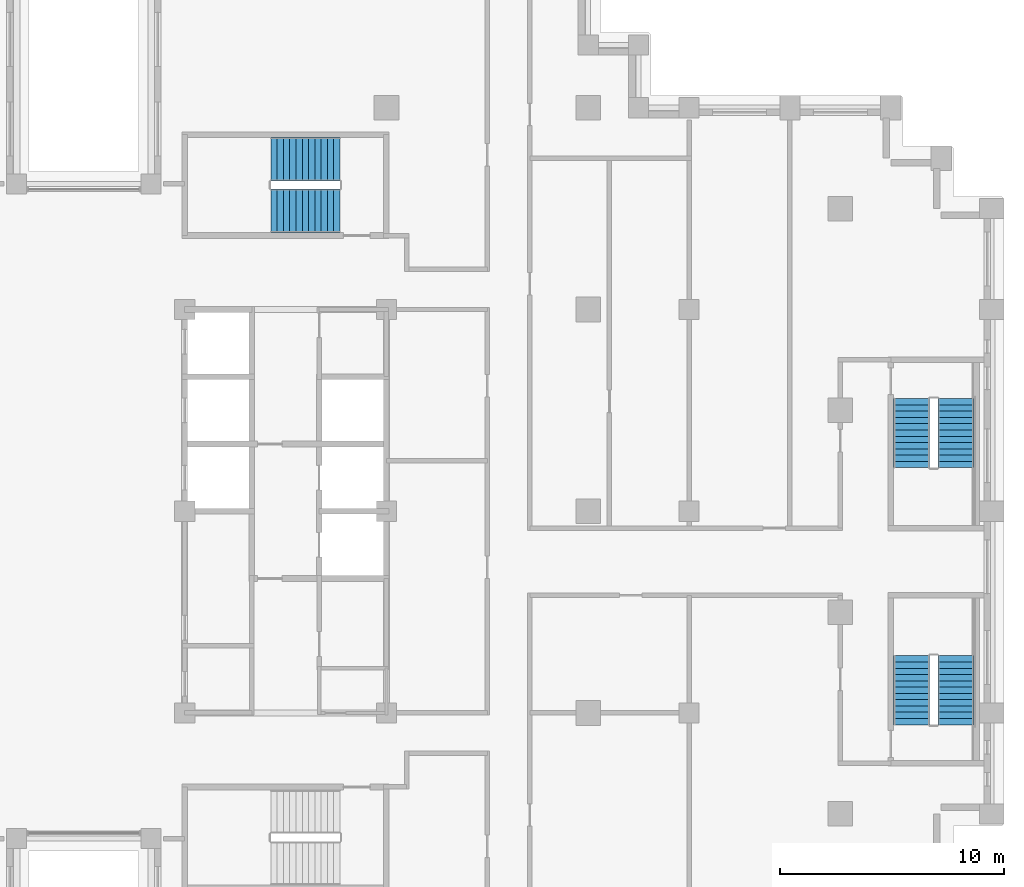
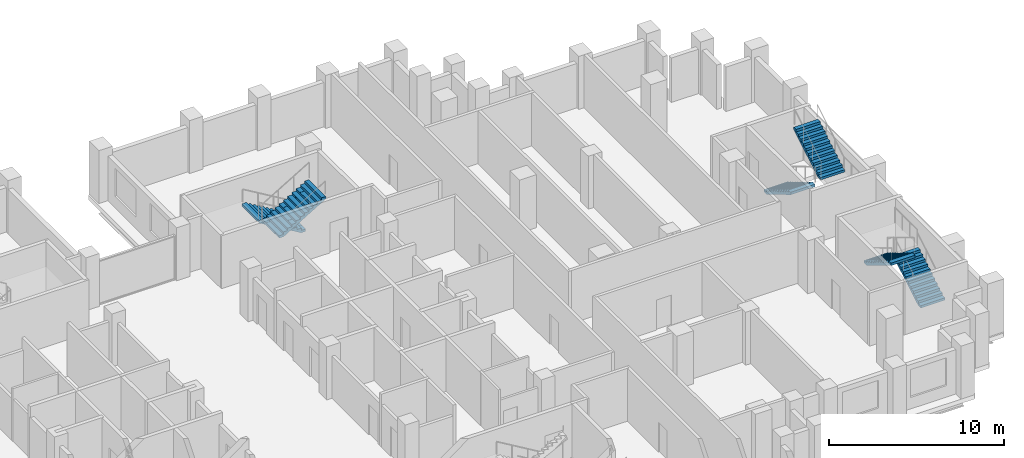
# One storey, part 14 of 16: 6 stair flights, 3 elements without a shape of their own.
"""IFC4 building model written with IfcOpenShell, lengths in metres."""

from ifc_helpers import new_model, si_unit, direction, frame, origin, place, context, subcontext, project, spatial, polyline, outline, extrude, material, type_object, element, aggregate, save


model = new_model("IFC4")

# Units and contexts
model_context = context("Model", 3, precision=1e-05, world=origin(), true_north=direction((0.0, 1.0)))
body_context = subcontext(model_context, "Body", "Model", "MODEL_VIEW")
ifc_project = project(units=[si_unit("LENGTHUNIT", "METRE"), si_unit("AREAUNIT", "SQUARE_METRE"), si_unit("VOLUMEUNIT", "CUBIC_METRE"), si_unit("PLANEANGLEUNIT", "RADIAN"), si_unit("MASSUNIT", "GRAM", prefix="KILO")], contexts=[model_context])

# Site, building, storey
site_placement = place(None, origin())
site = spatial("IfcSite", under=ifc_project, at=site_placement, CompositionType="ELEMENT")
building_placement = place(site_placement, origin())
building = spatial("IfcBuilding", under=site, at=building_placement, Name="Corbelhall Arena Tower", CompositionType="ELEMENT")
storey_placement = place(building_placement, frame((0.0, 0.0, 154.0)))
storey = spatial("IfcBuildingStorey", under=building, at=storey_placement, Name="L30", CompositionType="ELEMENT", Elevation=154.0)

# Stair, stair flights
ifc_material = material(Name="Concrete C40/50", Category="concrete")
stair_type = type_object("IfcStairType", Name="IN-ST-TOWER", PredefinedType="HALF_TURN_STAIR", material=ifc_material)
stair_1_placement = place(storey_placement, origin())
stair_1 = element("IfcStair", 1, at=stair_1_placement, inside=storey, type_object=stair_type, Name="L30 Exit stair ST3", PredefinedType="HALF_TURN_STAIR")
stair_flight_type = type_object("IfcStairFlightType", Name="IN-SFL-RC", PredefinedType="STRAIGHT", material=ifc_material)
stair_flight_1_placement = place(storey_placement, frame((11.425048828125, 15.699951171875, 0.0), z_axis=(0.0, 0.0, 1.0), x_axis=(-1.0, 0.0, 0.0)))
stair_flight_1 = element("IfcStairFlight", 2, at=stair_flight_1_placement, type_object=stair_flight_type, Name="ST3 flight 1", NumberOfRisers=12, NumberOfTreads=11, PredefinedType="STRAIGHT", RiserHeight=0.166666667, TreadLength=0.28, context=body_context, shape_type="SweptSolid", body=[
    extrude(outline(polyline([(0.0, 0.0), (0.0, 0.166748046875), (0.280029296875, 0.166748046875), (0.280029296875, 0.333251953125), (0.56005859375, 0.333251953125), (0.56005859375, 0.5), (0.840087890625, 0.5), (0.840087890625, 0.666748046875), (1.1201171875, 0.666748046875), (1.1201171875, 0.833251953125), (1.39990234375, 0.833251953125), (1.39990234375, 1.0), (1.679931640625, 1.0), (1.679931640625, 1.166748046875), (1.9599609375, 1.166748046875), (1.9599609375, 1.333251953125), (2.239990234375, 1.333251953125), (2.239990234375, 1.5), (2.52001953125, 1.5), (2.52001953125, 1.666748046875), (2.800048828125, 1.666748046875), (2.800048828125, 1.833251953125), (3.080078125, 1.833251953125), (3.080078125, 2.0), (3.080078125, 1.658935546875), (0.29296875, 0.0), (0.0, 0.0)])), frame((0.0, 0.97509765625, 0.0), z_axis=(0.0, -1.0, 0.0), x_axis=(1.0, 0.0, 0.0)), (0.0, 0.0, 1.0), 0.449951171875),
    extrude(outline(polyline([(0.0, 0.0), (0.0, 0.166748046875), (0.280029296875, 0.166748046875), (0.280029296875, 0.333251953125), (0.56005859375, 0.333251953125), (0.56005859375, 0.5), (0.840087890625, 0.5), (0.840087890625, 0.666748046875), (1.1201171875, 0.666748046875), (1.1201171875, 0.833251953125), (1.39990234375, 0.833251953125), (1.39990234375, 1.0), (1.679931640625, 1.0), (1.679931640625, 1.166748046875), (1.9599609375, 1.166748046875), (1.9599609375, 1.333251953125), (2.239990234375, 1.333251953125), (2.239990234375, 1.5), (2.52001953125, 1.5), (2.52001953125, 1.666748046875), (2.800048828125, 1.666748046875), (2.800048828125, 1.833251953125), (3.080078125, 1.833251953125), (3.080078125, 2.0), (3.080078125, 1.658935546875), (0.29296875, 0.0), (0.0, 0.0)])), frame((0.0, 0.52099609375, 0.0), z_axis=(0.0, -1.0, 0.0), x_axis=(1.0, 0.0, 0.0)), (0.0, 0.0, 1.0), 1.0419921875),
    extrude(outline(polyline([(0.0, 0.0), (0.0, 0.166748046875), (0.280029296875, 0.166748046875), (0.280029296875, 0.333251953125), (0.56005859375, 0.333251953125), (0.56005859375, 0.5), (0.840087890625, 0.5), (0.840087890625, 0.666748046875), (1.1201171875, 0.666748046875), (1.1201171875, 0.833251953125), (1.39990234375, 0.833251953125), (1.39990234375, 1.0), (1.679931640625, 1.0), (1.679931640625, 1.166748046875), (1.9599609375, 1.166748046875), (1.9599609375, 1.333251953125), (2.239990234375, 1.333251953125), (2.239990234375, 1.5), (2.52001953125, 1.5), (2.52001953125, 1.666748046875), (2.800048828125, 1.666748046875), (2.800048828125, 1.833251953125), (3.080078125, 1.833251953125), (3.080078125, 2.0), (3.080078125, 1.658935546875), (0.29296875, 0.0), (0.0, 0.0)])), frame((0.0, -0.52490234375, 0.0), z_axis=(0.0, -1.0, 0.0), x_axis=(1.0, 0.0, 0.0)), (0.0, 0.0, 1.0), 0.449951171875),
])
stair_flight_2_placement = place(storey_placement, frame((8.344970703125, 13.39990234375, 2.0), z_axis=(0.0, 0.0, 1.0), x_axis=(1.0, 0.0, 0.0)))
stair_flight_2 = element("IfcStairFlight", 3, at=stair_flight_2_placement, type_object=stair_flight_type, Name="ST3 flight 2", NumberOfRisers=12, NumberOfTreads=11, PredefinedType="STRAIGHT", RiserHeight=0.166666667, TreadLength=0.28, context=body_context, shape_type="SweptSolid", body=[
    extrude(outline(polyline([(0.0, 0.0), (0.0, 0.166748046875), (0.280029296875, 0.166748046875), (0.280029296875, 0.333251953125), (0.56005859375, 0.333251953125), (0.56005859375, 0.5), (0.840087890625, 0.5), (0.840087890625, 0.666748046875), (1.1201171875, 0.666748046875), (1.1201171875, 0.833251953125), (1.39990234375, 0.833251953125), (1.39990234375, 1.0), (1.679931640625, 1.0), (1.679931640625, 1.166748046875), (1.9599609375, 1.166748046875), (1.9599609375, 1.333251953125), (2.239990234375, 1.333251953125), (2.239990234375, 1.5), (2.52001953125, 1.5), (2.52001953125, 1.666748046875), (2.800048828125, 1.666748046875), (2.800048828125, 1.833251953125), (3.080078125, 1.833251953125), (3.080078125, 2.0), (3.080078125, 1.658935546875), (0.29296875, 0.0), (0.0, 0.0)])), frame((0.0, 0.97509765625, 0.0), z_axis=(0.0, -1.0, 0.0), x_axis=(1.0, 0.0, 0.0)), (0.0, 0.0, 1.0), 0.449951171875),
    extrude(outline(polyline([(0.0, 0.0), (0.0, 0.166748046875), (0.280029296875, 0.166748046875), (0.280029296875, 0.333251953125), (0.56005859375, 0.333251953125), (0.56005859375, 0.5), (0.840087890625, 0.5), (0.840087890625, 0.666748046875), (1.1201171875, 0.666748046875), (1.1201171875, 0.833251953125), (1.39990234375, 0.833251953125), (1.39990234375, 1.0), (1.679931640625, 1.0), (1.679931640625, 1.166748046875), (1.9599609375, 1.166748046875), (1.9599609375, 1.333251953125), (2.239990234375, 1.333251953125), (2.239990234375, 1.5), (2.52001953125, 1.5), (2.52001953125, 1.666748046875), (2.800048828125, 1.666748046875), (2.800048828125, 1.833251953125), (3.080078125, 1.833251953125), (3.080078125, 2.0), (3.080078125, 1.658935546875), (0.29296875, 0.0), (0.0, 0.0)])), frame((0.0, 0.52099609375, 0.0), z_axis=(0.0, -1.0, 0.0), x_axis=(1.0, 0.0, 0.0)), (0.0, 0.0, 1.0), 1.0419921875),
    extrude(outline(polyline([(0.0, 0.0), (0.0, 0.166748046875), (0.280029296875, 0.166748046875), (0.280029296875, 0.333251953125), (0.56005859375, 0.333251953125), (0.56005859375, 0.5), (0.840087890625, 0.5), (0.840087890625, 0.666748046875), (1.1201171875, 0.666748046875), (1.1201171875, 0.833251953125), (1.39990234375, 0.833251953125), (1.39990234375, 1.0), (1.679931640625, 1.0), (1.679931640625, 1.166748046875), (1.9599609375, 1.166748046875), (1.9599609375, 1.333251953125), (2.239990234375, 1.333251953125), (2.239990234375, 1.5), (2.52001953125, 1.5), (2.52001953125, 1.666748046875), (2.800048828125, 1.666748046875), (2.800048828125, 1.833251953125), (3.080078125, 1.833251953125), (3.080078125, 2.0), (3.080078125, 1.658935546875), (0.29296875, 0.0), (0.0, 0.0)])), frame((0.0, -0.52490234375, 0.0), z_axis=(0.0, -1.0, 0.0), x_axis=(1.0, 0.0, 0.0)), (0.0, 0.0, 1.0), 0.449951171875),
])
aggregate(stair_1, [stair_flight_1, stair_flight_2])

stair_2_placement = place(storey_placement, origin())
stair_2 = element("IfcStair", 4, at=stair_2_placement, inside=storey, type_object=stair_type, Name="L30 Exit stair SD1", PredefinedType="HALF_TURN_STAIR")
stair_flight_3_placement = place(storey_placement, frame((38.89990234375, -9.52490234375, 0.0), z_axis=(0.0, 0.0, 1.0), x_axis=(0.0, 1.0, 0.0)))
stair_flight_3 = element("IfcStairFlight", 5, at=stair_flight_3_placement, type_object=stair_flight_type, Name="SD1 flight 1", NumberOfRisers=12, NumberOfTreads=11, PredefinedType="STRAIGHT", RiserHeight=0.166666667, TreadLength=0.28, context=body_context, shape_type="SweptSolid", body=[
    extrude(outline(polyline([(0.0, 0.0), (0.0, 0.166748046875), (0.280029296875, 0.166748046875), (0.280029296875, 0.333251953125), (0.56005859375, 0.333251953125), (0.56005859375, 0.5), (0.840087890625, 0.5), (0.840087890625, 0.666748046875), (1.1201171875, 0.666748046875), (1.1201171875, 0.833251953125), (1.39990234375, 0.833251953125), (1.39990234375, 1.0), (1.679931640625, 1.0), (1.679931640625, 1.166748046875), (1.9599609375, 1.166748046875), (1.9599609375, 1.333251953125), (2.239990234375, 1.333251953125), (2.239990234375, 1.5), (2.52001953125, 1.5), (2.52001953125, 1.666748046875), (2.800048828125, 1.666748046875), (2.800048828125, 1.833251953125), (3.080078125, 1.833251953125), (3.080078125, 2.0), (3.080078125, 1.658935546875), (0.29296875, 0.0), (0.0, 0.0)])), frame((0.0, 0.800048828125, 0.0), z_axis=(0.0, -1.0, 0.0), x_axis=(1.0, 0.0, 0.0)), (0.0, 0.0, 1.0), 1.60009765625),
])
stair_flight_4_placement = place(storey_placement, frame((36.925048828125, -6.445068359375, 2.0), z_axis=(0.0, 0.0, 1.0), x_axis=(0.0, -1.0, 0.0)))
stair_flight_4 = element("IfcStairFlight", 6, at=stair_flight_4_placement, type_object=stair_flight_type, Name="SD1 flight 2", NumberOfRisers=12, NumberOfTreads=11, PredefinedType="STRAIGHT", RiserHeight=0.166666667, TreadLength=0.28, context=body_context, shape_type="SweptSolid", body=[
    extrude(outline(polyline([(0.0, 0.0), (0.0, 0.166748046875), (0.280029296875, 0.166748046875), (0.280029296875, 0.333251953125), (0.56005859375, 0.333251953125), (0.56005859375, 0.5), (0.840087890625, 0.5), (0.840087890625, 0.666748046875), (1.1201171875, 0.666748046875), (1.1201171875, 0.833251953125), (1.39990234375, 0.833251953125), (1.39990234375, 1.0), (1.679931640625, 1.0), (1.679931640625, 1.166748046875), (1.9599609375, 1.166748046875), (1.9599609375, 1.333251953125), (2.239990234375, 1.333251953125), (2.239990234375, 1.5), (2.52001953125, 1.5), (2.52001953125, 1.666748046875), (2.800048828125, 1.666748046875), (2.800048828125, 1.833251953125), (3.080078125, 1.833251953125), (3.080078125, 2.0), (3.080078125, 1.658935546875), (0.29296875, 0.0), (0.0, 0.0)])), frame((0.0, 0.800048828125, 0.0), z_axis=(0.0, -1.0, 0.0), x_axis=(1.0, 0.0, 0.0)), (0.0, 0.0, 1.0), 1.60009765625),
])
aggregate(stair_2, [stair_flight_3, stair_flight_4])

stair_3_placement = place(storey_placement, origin())
stair_3 = element("IfcStair", 7, at=stair_3_placement, inside=storey, type_object=stair_type, Name="L30 Exit stair SD2", PredefinedType="HALF_TURN_STAIR")
stair_flight_5_placement = place(storey_placement, frame((36.925048828125, 5.02490234375, 0.0), z_axis=(0.0, 0.0, 1.0), x_axis=(0.0, -1.0, 0.0)))
stair_flight_5 = element("IfcStairFlight", 8, at=stair_flight_5_placement, type_object=stair_flight_type, Name="SD2 flight 1", NumberOfRisers=12, NumberOfTreads=11, PredefinedType="STRAIGHT", RiserHeight=0.166666667, TreadLength=0.28, context=body_context, shape_type="SweptSolid", body=[
    extrude(outline(polyline([(0.0, 0.0), (0.0, 0.166748046875), (0.280029296875, 0.166748046875), (0.280029296875, 0.333251953125), (0.56005859375, 0.333251953125), (0.56005859375, 0.5), (0.840087890625, 0.5), (0.840087890625, 0.666748046875), (1.1201171875, 0.666748046875), (1.1201171875, 0.833251953125), (1.39990234375, 0.833251953125), (1.39990234375, 1.0), (1.679931640625, 1.0), (1.679931640625, 1.166748046875), (1.9599609375, 1.166748046875), (1.9599609375, 1.333251953125), (2.239990234375, 1.333251953125), (2.239990234375, 1.5), (2.52001953125, 1.5), (2.52001953125, 1.666748046875), (2.800048828125, 1.666748046875), (2.800048828125, 1.833251953125), (3.080078125, 1.833251953125), (3.080078125, 2.0), (3.080078125, 1.658935546875), (0.29296875, 0.0), (0.0, 0.0)])), frame((0.0, 0.800048828125, 0.0), z_axis=(0.0, -1.0, 0.0), x_axis=(1.0, 0.0, 0.0)), (0.0, 0.0, 1.0), 1.60009765625),
])
stair_flight_6_placement = place(storey_placement, frame((38.89990234375, 1.945068359375, 2.0), z_axis=(0.0, 0.0, 1.0), x_axis=(0.0, 1.0, 0.0)))
stair_flight_6 = element("IfcStairFlight", 9, at=stair_flight_6_placement, type_object=stair_flight_type, Name="SD2 flight 2", NumberOfRisers=12, NumberOfTreads=11, PredefinedType="STRAIGHT", RiserHeight=0.166666667, TreadLength=0.28, context=body_context, shape_type="SweptSolid", body=[
    extrude(outline(polyline([(0.0, 0.0), (0.0, 0.166748046875), (0.280029296875, 0.166748046875), (0.280029296875, 0.333251953125), (0.56005859375, 0.333251953125), (0.56005859375, 0.5), (0.840087890625, 0.5), (0.840087890625, 0.666748046875), (1.1201171875, 0.666748046875), (1.1201171875, 0.833251953125), (1.39990234375, 0.833251953125), (1.39990234375, 1.0), (1.679931640625, 1.0), (1.679931640625, 1.166748046875), (1.9599609375, 1.166748046875), (1.9599609375, 1.333251953125), (2.239990234375, 1.333251953125), (2.239990234375, 1.5), (2.52001953125, 1.5), (2.52001953125, 1.666748046875), (2.800048828125, 1.666748046875), (2.800048828125, 1.833251953125), (3.080078125, 1.833251953125), (3.080078125, 2.0), (3.080078125, 1.658935546875), (0.29296875, 0.0), (0.0, 0.0)])), frame((0.0, 0.800048828125, 0.0), z_axis=(0.0, -1.0, 0.0), x_axis=(1.0, 0.0, 0.0)), (0.0, 0.0, 1.0), 1.60009765625),
])
aggregate(stair_3, [stair_flight_5, stair_flight_6])

save(model, "model.ifc")
